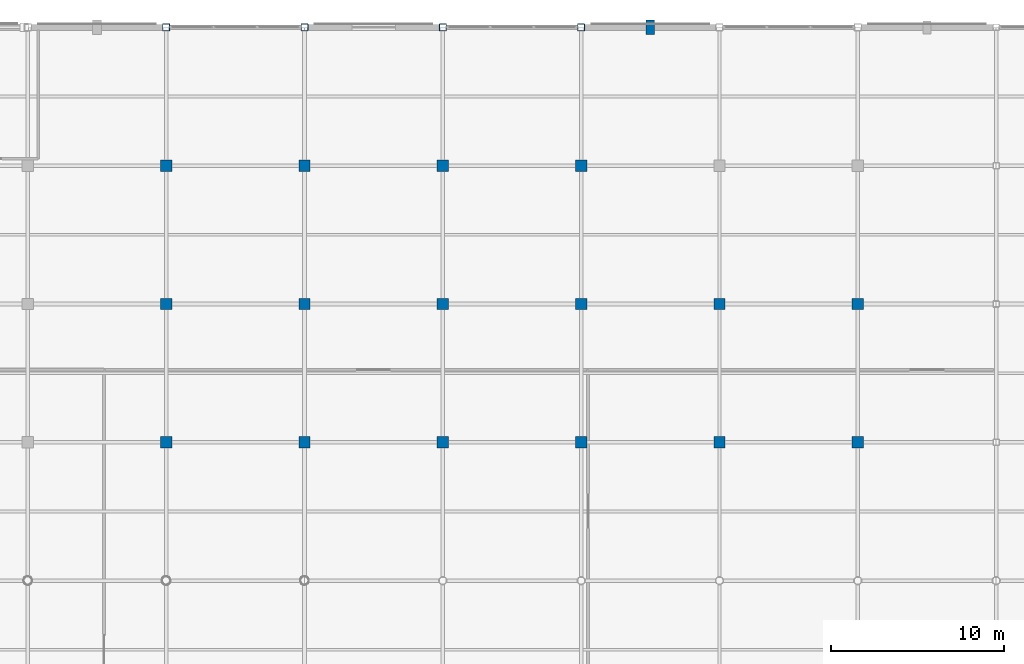
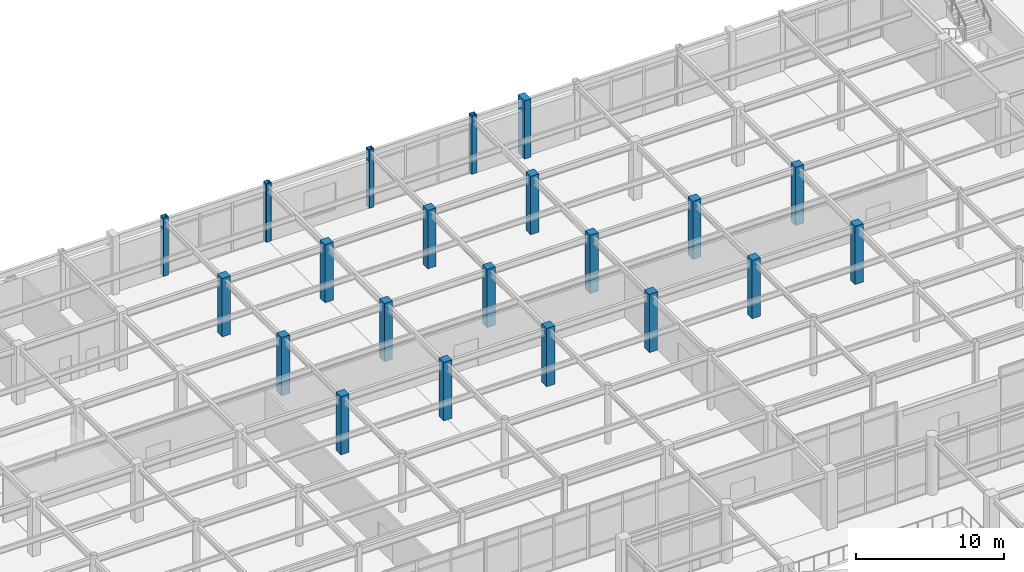
# One storey, part 15 of 117: 21 columns.
"""IFC4 building model written with IfcOpenShell, lengths in metres."""

from ifc_helpers import new_model, si_unit, direction, frame, origin, origin_2d, place, context, subcontext, project, spatial, rectangle, hollow_rectangle, extrude, material, material_profile, profile_set, type_object, element, save


model = new_model("IFC4")

# Units and contexts
model_context = context("Model", 3, precision=1e-05, world=origin(), true_north=direction((0.0, 1.0)))
body_context = subcontext(model_context, "Body", "Model", "MODEL_VIEW")
ifc_project = project(units=[si_unit("LENGTHUNIT", "METRE"), si_unit("AREAUNIT", "SQUARE_METRE"), si_unit("VOLUMEUNIT", "CUBIC_METRE"), si_unit("PLANEANGLEUNIT", "RADIAN"), si_unit("MASSUNIT", "GRAM", prefix="KILO")], contexts=[model_context])

# Site, building, storey
site_placement = place(None, origin())
site = spatial("IfcSite", under=ifc_project, at=site_placement, CompositionType="ELEMENT")
building_placement = place(site_placement, origin())
building = spatial("IfcBuilding", under=site, at=building_placement, Name="Solmirada Galleria", CompositionType="ELEMENT")
storey_placement = place(building_placement, frame((0.0, 0.0, 5.60009765625)))
storey = spatial("IfcBuildingStorey", under=building, at=storey_placement, Name="L01", CompositionType="ELEMENT", Elevation=5.60009765625)

# Columns
ifc_material_1 = material(Name="Steel S355 / ASTM A500 Grade C", Category="steel")
ifc_material_profile_1 = material_profile(ifc_material_1, hollow_rectangle(XDim=0.406005859375, YDim=0.406005859375, WallThickness=0.0146484375, InnerFilletRadius=0.0146484375, OuterFilletRadius=0.029296875, at=origin_2d()), Name="HSS16X16X5/8")
ifc_profile_set_1 = profile_set([ifc_material_profile_1], Name="Steel S355 / ASTM A500 Grade C")
column_type_1 = type_object("IfcColumnType", Name="COL-HSS16", PredefinedType="COLUMN", material=ifc_profile_set_1)
for number, where, z_axis, x_axis, name in (
    (1, (72.0, 120.0, 0.0), (0.0, 0.0, 1.0), (1.0, 0.0, 0.0), "Structural column L01-0340"),
    (2, (80.0, 120.0, 0.0), (0.0, 0.0, 1.0), (1.0, 0.0, 0.0), "Structural column L01-0457"),
    (3, (88.0, 120.0, 0.0), (0.0, 0.0, 1.0), (1.0, 0.0, 0.0), "Structural column L01-0579"),
    (4, (96.0, 120.0, 0.0), (0.0, 0.0, 1.0), (1.0, 0.0, 0.0), "Structural column L01-0687"),
):
    element("IfcColumn", number, at=place(storey_placement, frame(where, z_axis=z_axis, x_axis=x_axis)), inside=storey, type_object=column_type_1, Name=name, PredefinedType="COLUMN", context=body_context, shape_type="SweptSolid", body=[
        extrude(hollow_rectangle(XDim=0.406005859375, YDim=0.406005859375, WallThickness=0.0146484375, InnerFilletRadius=0.0146484375, OuterFilletRadius=0.029296875, at=origin_2d()), origin(), (0.0, 0.0, 1.0), 4.7998046875),
    ])
ifc_material_2 = material(Name="Concrete C40/50", Category="concrete")
ifc_material_profile_2 = material_profile(ifc_material_2, rectangle(XDim=0.64990234375, YDim=0.64990234375, at=origin_2d()), Name="RC650X650")
ifc_profile_set_2 = profile_set([ifc_material_profile_2], Name="Concrete C40/50")
column_type_2 = type_object("IfcColumnType", Name="COL-RC650", PredefinedType="COLUMN", material=ifc_profile_set_2)
for number, where, z_axis, x_axis, name in (
    (5, (72.0, 96.0, 0.0), (0.0, 0.0, 1.0), (1.0, 0.0, 0.0), "Structural column L01-0319"),
    (6, (72.0, 104.0, 0.0), (0.0, 0.0, 1.0), (1.0, 0.0, 0.0), "Structural column L01-0326"),
    (7, (72.0, 112.0, 0.0), (0.0, 0.0, 1.0), (1.0, 0.0, 0.0), "Structural column L01-0333"),
    (8, (80.0, 96.0, 0.0), (0.0, 0.0, 1.0), (1.0, 0.0, 0.0), "Structural column L01-0436"),
    (9, (80.0, 104.0, 0.0), (0.0, 0.0, 1.0), (1.0, 0.0, 0.0), "Structural column L01-0443"),
    (10, (80.0, 112.0, 0.0), (0.0, 0.0, 1.0), (1.0, 0.0, 0.0), "Structural column L01-0450"),
    (11, (88.0, 96.0, 0.0), (0.0, 0.0, 1.0), (1.0, 0.0, 0.0), "Structural column L01-0558"),
    (12, (88.0, 104.0, 0.0), (0.0, 0.0, 1.0), (1.0, 0.0, 0.0), "Structural column L01-0565"),
    (13, (88.0, 112.0, 0.0), (0.0, 0.0, 1.0), (1.0, 0.0, 0.0), "Structural column L01-0572"),
    (14, (96.0, 96.0, 0.0), (0.0, 0.0, 1.0), (1.0, 0.0, 0.0), "Structural column L01-0666"),
    (15, (96.0, 104.0, 0.0), (0.0, 0.0, 1.0), (1.0, 0.0, 0.0), "Structural column L01-0673"),
    (16, (96.0, 112.0, 0.0), (0.0, 0.0, 1.0), (1.0, 0.0, 0.0), "Structural column L01-0680"),
    (17, (104.0, 96.0, 0.0), (0.0, 0.0, 1.0), (1.0, 0.0, 0.0), "Structural column L01-0777"),
    (18, (104.0, 104.0, 0.0), (0.0, 0.0, 1.0), (1.0, 0.0, 0.0), "Structural column L01-0784"),
    (19, (112.0, 96.0, 0.0), (0.0, 0.0, 1.0), (1.0, 0.0, 0.0), "Structural column L01-0894"),
    (20, (112.0, 104.0, 0.0), (0.0, 0.0, 1.0), (1.0, 0.0, 0.0), "Structural column L01-0901"),
):
    element("IfcColumn", number, at=place(storey_placement, frame(where, z_axis=z_axis, x_axis=x_axis)), inside=storey, type_object=column_type_2, Name=name, PredefinedType="COLUMN", context=body_context, shape_type="SweptSolid", body=[
        extrude(rectangle(XDim=0.64990234375, YDim=0.64990234375, at=origin_2d()), origin(), (0.0, 0.0, 1.0), 4.7998046875),
    ])
ifc_material_3 = material(Name="Precast concrete C40/50", Category="concrete")
ifc_material_profile_3 = material_profile(ifc_material_3, rectangle(XDim=0.5, YDim=0.85009765625, at=origin_2d()), Name="RC850X500")
ifc_profile_set_3 = profile_set([ifc_material_profile_3], Name="Precast concrete C40/50")
column_type_3 = type_object("IfcColumnType", Name="PIL-RC850", PredefinedType="PILASTER", material=ifc_profile_set_3)
column_placement = place(storey_placement, frame((100.0, 120.0, 0.0), z_axis=(0.0, 0.0, 1.0), x_axis=(1.0, 0.0, 0.0)))
element("IfcColumn", 21, at=column_placement, inside=storey, type_object=column_type_3, Name="Avenue pilaster L01-011", PredefinedType="PILASTER", context=body_context, shape_type="SweptSolid", body=[
    extrude(rectangle(XDim=0.5, YDim=0.85009765625, at=origin_2d()), origin(), (0.0, 0.0, 1.0), 4.7998046875),
])

save(model, "model.ifc")
